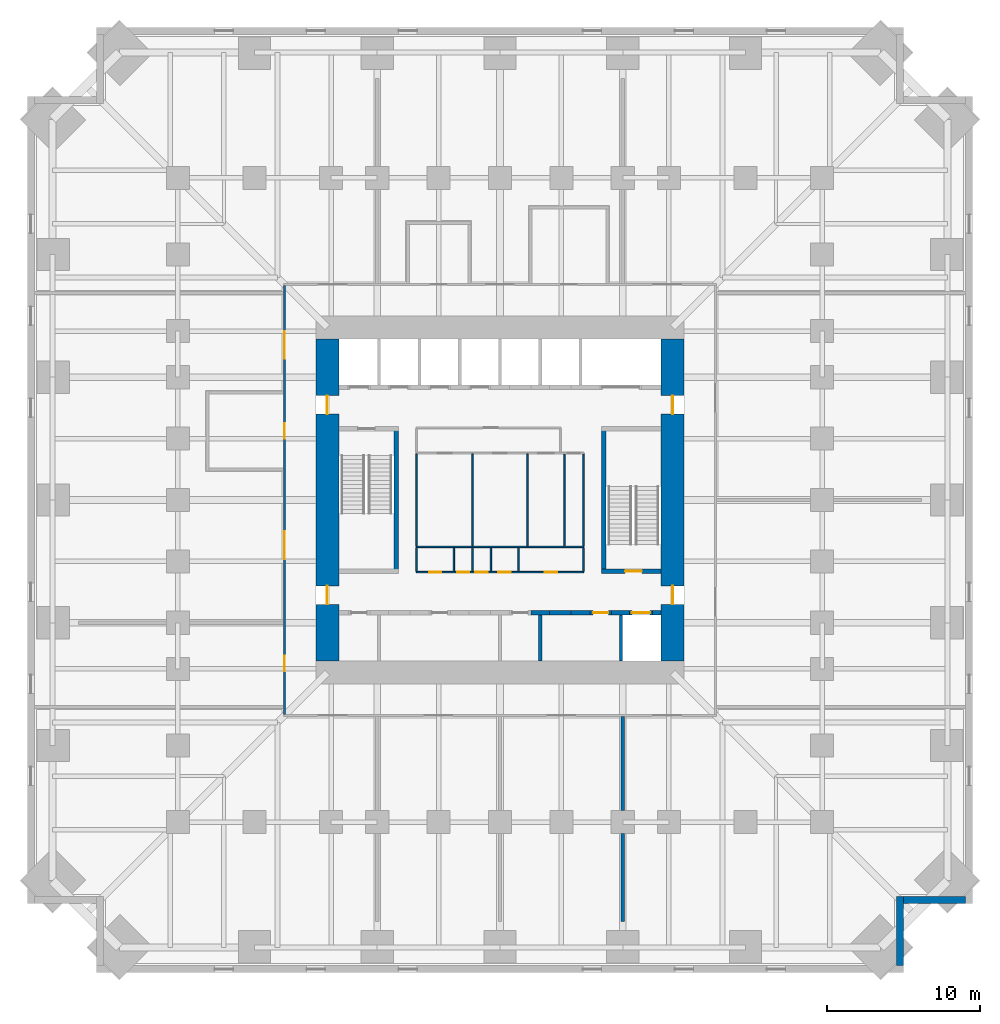
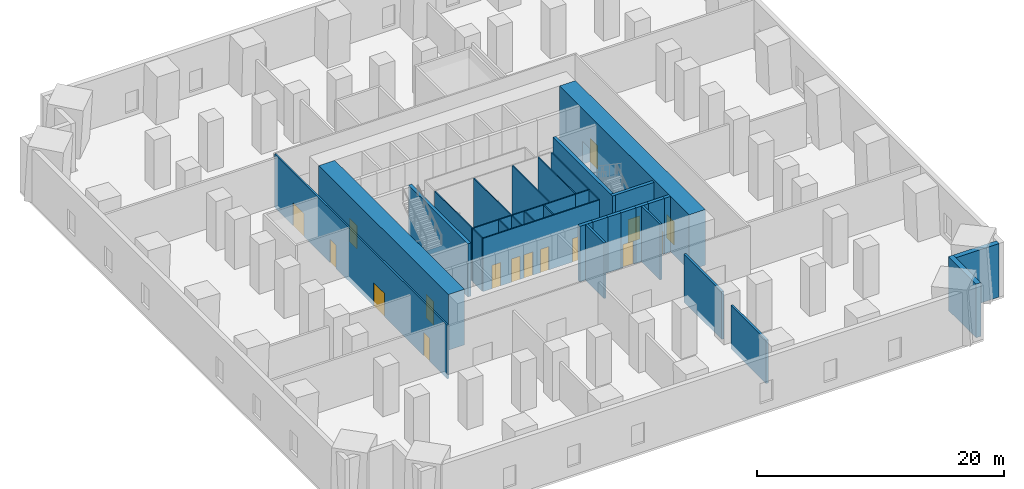
# One storey, part 4 of 8: 33 walls, 16 doors, 16 openings.
"""IFC4 building model written with IfcOpenShell, lengths in metres."""

from ifc_helpers import new_model, si_unit, direction, frame, frame_2d, origin, place, context, subcontext, project, spatial, rectangle, extrude, material, layer, layer_set, type_object, element, fill, save


model = new_model("IFC4")

# Units and contexts
model_context = context("Model", 3, precision=1e-05, world=origin(), true_north=direction((0.0, 1.0)))
body_context = subcontext(model_context, "Body", "Model", "MODEL_VIEW")
ifc_project = project(units=[si_unit("LENGTHUNIT", "METRE"), si_unit("AREAUNIT", "SQUARE_METRE"), si_unit("VOLUMEUNIT", "CUBIC_METRE"), si_unit("PLANEANGLEUNIT", "RADIAN"), si_unit("MASSUNIT", "GRAM", prefix="KILO")], contexts=[model_context])

# Site, building, storey
site_placement = place(None, origin())
site = spatial("IfcSite", under=ifc_project, at=site_placement, CompositionType="ELEMENT")
building_placement = place(site_placement, origin())
building = spatial("IfcBuilding", under=site, at=building_placement, Name="Peilmerk Tower", CompositionType="ELEMENT")
storey_placement = place(building_placement, frame((0.0, 0.0, 43.0)))
storey = spatial("IfcBuildingStorey", under=building, at=storey_placement, Name="L08", CompositionType="ELEMENT", Elevation=43.0)

# Walls
ifc_material_1 = material(Name="Precast concrete C45/55, board-marked finish", Category="concrete")
ifc_layer_1 = layer(ifc_material_1, 0.449951171875)
ifc_layer_set_1 = layer_set([ifc_layer_1], Name="Precast concrete C45/55, board-marked finish")
wall_type_1 = type_object("IfcWallType", Name="EW1 450 precast concrete facade wall, board-marked", PredefinedType="SOLIDWALL", material=ifc_layer_set_1)
wall_1_placement = place(storey_placement, frame((26.074951171875, -25.85009765625, 0.0), z_axis=(0.0, 0.0, 1.0), x_axis=(0.0, -1.0, 0.0)))
element("IfcWall", 1, at=wall_1_placement, inside=storey, type_object=wall_type_1, Name="Facade wall SEA L08", PredefinedType="SOLIDWALL", context=body_context, shape_type="SweptSolid", body=[
    extrude(rectangle(XDim=4.5, YDim=0.449951171875, at=frame_2d((2.25, 0.0))), origin(), (0.0, 0.0, 1.0), 5.300048828125),
])
wall_2_placement = place(storey_placement, frame((26.300048828125, -26.074951171875, 0.0), z_axis=(0.0, 0.0, 1.0), x_axis=(1.0, 0.0, 0.0)))
element("IfcWall", 2, at=wall_2_placement, inside=storey, type_object=wall_type_1, Name="Facade wall SEB L08", PredefinedType="SOLIDWALL", context=body_context, shape_type="SweptSolid", body=[
    extrude(rectangle(XDim=4.050048828125, YDim=0.449951171875, at=frame_2d((2.02490234375, 0.0))), origin(), (0.0, 0.0, 1.0), 5.300048828125),
])

# Wall, openings, doors
ifc_material_2 = material(Name="Calcium silicate block", Category="masonry")
ifc_layer_2 = layer(ifc_material_2, 0.14990234375)
ifc_layer_set_2 = layer_set([ifc_layer_2], Name="Calcium silicate block")
wall_type_2 = type_object("IfcWallType", Name="IW1 150 corridor partition, EI 60", PredefinedType="PARTITIONING", material=ifc_layer_set_2)
wall_3_placement = place(storey_placement, frame((-14.050048828125, 13.97509765625, 0.0), z_axis=(0.0, 0.0, 1.0), x_axis=(0.0, -1.0, 0.0)))
wall_3 = element("IfcWall", 3, at=wall_3_placement, inside=storey, type_object=wall_type_2, Name="Corridor wall W L08", PredefinedType="PARTITIONING", context=body_context, shape_type="SweptSolid", body=[
    extrude(rectangle(XDim=27.9501953125, YDim=0.14990234375, at=frame_2d((13.97509765625, 0.0))), origin(), (0.0, 0.0, 1.0), 5.300048828125),
])
opening_1_placement = place(wall_3_placement, frame((24.125, 0.0, 0.0)))
opening_1 = element("IfcOpeningElement", 4, at=opening_1_placement, cuts=wall_3, Name="Opening D1", PredefinedType="OPENING", context=body_context, shape_type="SweptSolid", body=[
    extrude(rectangle(XDim=1.0, YDim=2.300048828125, at=frame_2d((0.5, 1.14990234375))), frame((0.0, 0.0849609375, 0.0), z_axis=(0.0, -1.0, 0.0), x_axis=(1.0, 0.0, 0.0)), (0.0, 0.0, 1.0), 0.169921875),
])
opening_2_placement = place(wall_3_placement, frame((16.02490234375, 0.0, 0.0)))
opening_2 = element("IfcOpeningElement", 5, at=opening_2_placement, cuts=wall_3, Name="Opening D2", PredefinedType="OPENING", context=body_context, shape_type="SweptSolid", body=[
    extrude(rectangle(XDim=1.800048828125, YDim=2.300048828125, at=frame_2d((0.89990234375, 1.14990234375))), frame((0.0, 0.0849609375, 0.0), z_axis=(0.0, -1.0, 0.0), x_axis=(1.0, 0.0, 0.0)), (0.0, 0.0, 1.0), 0.169921875),
])
opening_3_placement = place(wall_3_placement, frame((2.97509765625, 0.0, 0.0)))
opening_3 = element("IfcOpeningElement", 6, at=opening_3_placement, cuts=wall_3, Name="Opening D2", PredefinedType="OPENING", context=body_context, shape_type="SweptSolid", body=[
    extrude(rectangle(XDim=1.800048828125, YDim=2.300048828125, at=frame_2d((0.89990234375, 1.14990234375))), frame((0.0, 0.0849609375, 0.0), z_axis=(0.0, -1.0, 0.0), x_axis=(1.0, 0.0, 0.0)), (0.0, 0.0, 1.0), 0.169921875),
])
opening_4_placement = place(wall_3_placement, frame((8.97509765625, 0.0, 0.0)))
opening_4 = element("IfcOpeningElement", 7, at=opening_4_placement, cuts=wall_3, Name="Opening D1", PredefinedType="OPENING", context=body_context, shape_type="SweptSolid", body=[
    extrude(rectangle(XDim=1.0, YDim=2.300048828125, at=frame_2d((0.5, 1.14990234375))), frame((0.0, 0.0849609375, 0.0), z_axis=(0.0, -1.0, 0.0), x_axis=(1.0, 0.0, 0.0)), (0.0, 0.0, 1.0), 0.169921875),
])
ifc_material_3 = material(Name="Timber door in steel frame", Category="steel")
door_type_1 = type_object("IfcDoorType", Name="D1 1000x2300 room door, EI2 30", OperationType="SINGLE_SWING_LEFT", PredefinedType="DOOR", material=ifc_material_3)
door_1_placement = place(opening_1_placement, frame((1.0, 0.0, 0.0), z_axis=(0.0, 0.0, 1.0), x_axis=(-1.0, 0.0, 0.0)))
door_1 = element("IfcDoor", 8, at=door_1_placement, inside=storey, type_object=door_type_1, Name="Door Splicing room L08", OperationType="SINGLE_SWING_LEFT", OverallHeight=2.300048828125, OverallWidth=1.0, PredefinedType="DOOR", context=body_context, shape_type="SweptSolid", body=[
    extrude(rectangle(XDim=1.0, YDim=2.300048828125, at=frame_2d((0.5, 1.14990234375))), frame((0.0, 0.02490234375, 0.0), z_axis=(0.0, -1.0, 0.0), x_axis=(1.0, 0.0, 0.0)), (0.0, 0.0, 1.0), 0.050048828125),
])
fill(opening_1, door_1)
door_2_placement = place(opening_4_placement, frame((1.0, 0.0, 0.0), z_axis=(0.0, 0.0, 1.0), x_axis=(-1.0, 0.0, 0.0)))
door_2 = element("IfcDoor", 9, at=door_2_placement, inside=storey, type_object=door_type_1, Name="Door Customer meeting room L08", OperationType="SINGLE_SWING_LEFT", OverallHeight=2.300048828125, OverallWidth=1.0, PredefinedType="DOOR", context=body_context, shape_type="SweptSolid", body=[
    extrude(rectangle(XDim=1.0, YDim=2.300048828125, at=frame_2d((0.5, 1.14990234375))), frame((0.0, 0.02490234375, 0.0), z_axis=(0.0, -1.0, 0.0), x_axis=(1.0, 0.0, 0.0)), (0.0, 0.0, 1.0), 0.050048828125),
])
fill(opening_4, door_2)
ifc_material_4 = material(Name="Steel door in steel frame", Category="steel")
door_type_2 = type_object("IfcDoorType", Name="D2 1800x2300 double door, EI2 60", OperationType="DOUBLE_DOOR_DOUBLE_SWING", PredefinedType="DOOR", material=ifc_material_4)
door_3_placement = place(opening_2_placement, frame((1.800048828125, 0.0, 0.0), z_axis=(0.0, 0.0, 1.0), x_axis=(-1.0, 0.0, 0.0)))
door_3 = element("IfcDoor", 10, at=door_3_placement, inside=storey, type_object=door_type_2, Name="Door Fibre distribution room L08", OperationType="DOUBLE_DOOR_DOUBLE_SWING", OverallHeight=2.300048828125, OverallWidth=1.800048828125, PredefinedType="DOOR", context=body_context, shape_type="SweptSolid", body=[
    extrude(rectangle(XDim=1.800048828125, YDim=2.300048828125, at=frame_2d((0.89990234375, 1.14990234375))), frame((0.0, 0.02490234375, 0.0), z_axis=(0.0, -1.0, 0.0), x_axis=(1.0, 0.0, 0.0)), (0.0, 0.0, 1.0), 0.050048828125),
])
fill(opening_2, door_3)
door_4_placement = place(opening_3_placement, frame((1.800048828125, 0.0, 0.0), z_axis=(0.0, 0.0, 1.0), x_axis=(-1.0, 0.0, 0.0)))
door_4 = element("IfcDoor", 11, at=door_4_placement, inside=storey, type_object=door_type_2, Name="Door Fibre distribution room L08", OperationType="DOUBLE_DOOR_DOUBLE_SWING", OverallHeight=2.300048828125, OverallWidth=1.800048828125, PredefinedType="DOOR", context=body_context, shape_type="SweptSolid", body=[
    extrude(rectangle(XDim=1.800048828125, YDim=2.300048828125, at=frame_2d((0.89990234375, 1.14990234375))), frame((0.0, 0.02490234375, 0.0), z_axis=(0.0, -1.0, 0.0), x_axis=(1.0, 0.0, 0.0)), (0.0, 0.0, 1.0), 0.050048828125),
])
fill(opening_3, door_4)

# Walls
ifc_layer_3 = layer(ifc_material_2, 0.199951171875)
ifc_layer_set_3 = layer_set([ifc_layer_3], Name="Calcium silicate block")
wall_type_3 = type_object("IfcWallType", Name="IW2 200 room separating wall, EI 120", PredefinedType="PARTITIONING", material=ifc_layer_set_3)
wall_4_placement = place(storey_placement, frame((8.0, -14.125, 0.0), z_axis=(0.0, 0.0, 1.0), x_axis=(0.0, -1.0, 0.0)))
element("IfcWall", 12, at=wall_4_placement, inside=storey, type_object=wall_type_3, Name="Room separating wall S3 L08", PredefinedType="PARTITIONING", context=body_context, shape_type="SweptSolid", body=[
    extrude(rectangle(XDim=6.125, YDim=0.199951171875, at=frame_2d((3.0625, 0.0))), origin(), (0.0, 0.0, 1.0), 4.73095703125),
])
wall_5_placement = place(storey_placement, frame((8.0, -21.75, 0.0), z_axis=(0.0, 0.0, 1.0), x_axis=(0.0, -1.0, 0.0)))
element("IfcWall", 13, at=wall_5_placement, inside=storey, type_object=wall_type_3, Name="Room separating wall S3b L08", PredefinedType="PARTITIONING", context=body_context, shape_type="SweptSolid", body=[
    extrude(rectangle(XDim=5.706298828125, YDim=0.199951171875, at=frame_2d((2.85302734375, 0.0))), origin(), (0.0, 0.0, 1.0), 4.2919921875),
])
ifc_material_5 = material(Name="Concrete C35/45", Category="concrete")
ifc_layer_4 = layer(ifc_material_5, 0.300048828125)
ifc_layer_set_4 = layer_set([ifc_layer_4], Name="Concrete C35/45")
wall_type_4 = type_object("IfcWallType", Name="IW3 300 concrete stair enclosure wall, EI 120", PredefinedType="SOLIDWALL", material=ifc_layer_set_4)
for number, where, z_axis, x_axis, name in (
    (14, (-6.75, -4.800048828125, 0.0), (0.0, 0.0, 1.0), (0.0, 1.0, 0.0), "Stair 1 enclosure L08"),
    (15, (6.75, -4.800048828125, 0.0), (0.0, 0.0, 1.0), (0.0, 1.0, 0.0), "Stair 2 enclosure L08"),
):
    element("IfcWall", number, at=place(storey_placement, frame(where, z_axis=z_axis, x_axis=x_axis)), inside=storey, type_object=wall_type_4, Name=name, PredefinedType="SOLIDWALL", context=body_context, shape_type="SweptSolid", body=[
        extrude(rectangle(XDim=9.60009765625, YDim=0.300048828125, at=frame_2d((4.800048828125, 0.0))), origin(), (0.0, 0.0, 1.0), 5.25),
    ])

# Wall, opening, door
wall_6_placement = place(storey_placement, frame((10.5, -4.64990234375, 0.0), z_axis=(0.0, 0.0, 1.0), x_axis=(-1.0, 0.0, 0.0)))
wall_6 = element("IfcWall", 16, at=wall_6_placement, inside=storey, type_object=wall_type_4, Name="Stair 2 enclosure L08", PredefinedType="SOLIDWALL", context=body_context, shape_type="SweptSolid", body=[
    extrude(rectangle(XDim=3.89990234375, YDim=0.300048828125, at=frame_2d((1.949951171875, 0.0))), origin(), (0.0, 0.0, 1.0), 5.25),
])
opening_5_placement = place(wall_6_placement, frame((1.25, 0.0, 0.0)))
opening_5 = element("IfcOpeningElement", 17, at=opening_5_placement, cuts=wall_6, Name="Opening D4", PredefinedType="OPENING", context=body_context, shape_type="SweptSolid", body=[
    extrude(rectangle(XDim=1.10009765625, YDim=2.300048828125, at=frame_2d((0.550048828125, 1.14990234375))), frame((0.0, 0.159912109375, 0.0), z_axis=(0.0, -1.0, 0.0), x_axis=(1.0, 0.0, 0.0)), (0.0, 0.0, 1.0), 0.320068359375),
])
door_type_3 = type_object("IfcDoorType", Name="D4 1100x2300 stair door, EI2 60", OperationType="SINGLE_SWING_RIGHT", PredefinedType="DOOR", material=ifc_material_4)
door_5_placement = place(opening_5_placement, frame((1.10009765625, 0.0, 0.0), z_axis=(0.0, 0.0, 1.0), x_axis=(-1.0, 0.0, 0.0)))
door_5 = element("IfcDoor", 18, at=door_5_placement, inside=storey, type_object=door_type_3, Name="Stair 2 door L08", OperationType="SINGLE_SWING_RIGHT", OverallHeight=2.300048828125, OverallWidth=1.10009765625, PredefinedType="DOOR", context=body_context, shape_type="SweptSolid", body=[
    extrude(rectangle(XDim=1.10009765625, YDim=2.300048828125, at=frame_2d((0.550048828125, 1.14990234375))), frame((0.0, 0.02490234375, 0.0), z_axis=(0.0, -1.0, 0.0), x_axis=(1.0, 0.0, 0.0)), (0.0, 0.0, 1.0), 0.050048828125),
])
fill(opening_5, door_5)

# Walls
ifc_material_6 = material(Name="Plasterboard on steel studs", Category="steel")
ifc_layer_5 = layer(ifc_material_6, 0.10009765625)
ifc_layer_set_5 = layer_set([ifc_layer_5], Name="Plasterboard on steel studs")
wall_type_5 = type_object("IfcWallType", Name="IW4 100 WC partition", PredefinedType="PARTITIONING", material=ifc_layer_set_5)
wall_7_placement = place(storey_placement, frame((4.14990234375, -3.050048828125, 0.0), z_axis=(0.0, 0.0, 1.0), x_axis=(-1.0, 0.0, 0.0)))
element("IfcWall", 19, at=wall_7_placement, inside=storey, type_object=wall_type_5, Name="WC wall L08", PredefinedType="PARTITIONING", context=body_context, shape_type="SweptSolid", body=[
    extrude(rectangle(XDim=9.599853515625, YDim=0.10009765625, at=frame_2d((4.7998046875, 0.0))), origin(), (0.0, 0.0, 1.0), 5.25),
])
for number, where, z_axis, x_axis, name in (
    (20, (-5.449951171875, -3.0, 0.0), (0.0, 0.0, 1.0), (0.0, 1.0, 0.0), "WC wall L08"),
    (21, (-1.800048828125, -3.0, 0.0), (0.0, 0.0, 1.0), (0.0, 1.0, 0.0), "WC wall L08"),
    (22, (1.800048828125, -3.0, 0.0), (0.0, 0.0, 1.0), (0.0, 1.0, 0.0), "WC wall L08"),
):
    element("IfcWall", number, at=place(storey_placement, frame(where, z_axis=z_axis, x_axis=x_axis)), inside=storey, type_object=wall_type_5, Name=name, PredefinedType="PARTITIONING", context=body_context, shape_type="SweptSolid", body=[
        extrude(rectangle(XDim=6.0, YDim=0.10009765625, at=frame_2d((3.0, 0.0))), origin(), (0.0, 0.0, 1.0), 5.25),
    ])
ifc_material_7 = material(Name="Calcium silicate board on steel studs", Category="steel")
ifc_layer_6 = layer(ifc_material_7, 0.10009765625)
ifc_layer_set_6 = layer_set([ifc_layer_6], Name="Calcium silicate board on steel studs")
wall_type_6 = type_object("IfcWallType", Name="IW5 100 riser enclosure wall, EI 60", PredefinedType="PARTITIONING", material=ifc_layer_set_6)
wall_8_placement = place(storey_placement, frame((5.449951171875, -3.050048828125, 0.0), z_axis=(0.0, 0.0, 1.0), x_axis=(-1.0, 0.0, 0.0)))
element("IfcWall", 23, at=wall_8_placement, inside=storey, type_object=wall_type_6, Name="Riser wall L08", PredefinedType="PARTITIONING", context=body_context, shape_type="SweptSolid", body=[
    extrude(rectangle(XDim=1.300048828125, YDim=0.10009765625, at=frame_2d((0.64990234375, 0.0))), origin(), (0.0, 0.0, 1.0), 5.25),
])
for number, where, z_axis, x_axis, name in (
    (24, (5.449951171875, 3.0, 0.0), (0.0, 0.0, 1.0), (0.0, -1.0, 0.0), "Riser wall L08"),
    (25, (4.199951171875, -3.0, 0.0), (0.0, 0.0, 1.0), (0.0, 1.0, 0.0), "Riser wall L08"),
):
    element("IfcWall", number, at=place(storey_placement, frame(where, z_axis=z_axis, x_axis=x_axis)), inside=storey, type_object=wall_type_6, Name=name, PredefinedType="PARTITIONING", context=body_context, shape_type="SweptSolid", body=[
        extrude(rectangle(XDim=6.0, YDim=0.10009765625, at=frame_2d((3.0, 0.0))), origin(), (0.0, 0.0, 1.0), 5.25),
    ])

# Wall, openings, doors
wall_9_placement = place(storey_placement, frame((5.449951171875, -4.699951171875, 0.0), z_axis=(0.0, 0.0, 1.0), x_axis=(-1.0, 0.0, 0.0)))
wall_9 = element("IfcWall", 26, at=wall_9_placement, inside=storey, type_object=wall_type_6, Name="Riser wall L08", PredefinedType="PARTITIONING", context=body_context, shape_type="SweptSolid", body=[
    extrude(rectangle(XDim=10.89990234375, YDim=0.10009765625, at=frame_2d((5.449951171875, 0.0))), origin(), (0.0, 0.0, 1.0), 5.25),
])
opening_6_placement = place(wall_9_placement, frame((9.27490234375, 0.0, 0.0)))
opening_6 = element("IfcOpeningElement", 27, at=opening_6_placement, cuts=wall_9, Name="Opening D7", PredefinedType="OPENING", context=body_context, shape_type="SweptSolid", body=[
    extrude(rectangle(XDim=0.800048828125, YDim=2.300048828125, at=frame_2d((0.39990234375, 1.14990234375))), frame((0.0, 0.06005859375, 0.0), z_axis=(0.0, -1.0, 0.0), x_axis=(1.0, 0.0, 0.0)), (0.0, 0.0, 1.0), 0.1201171875),
])
opening_7_placement = place(wall_9_placement, frame((7.449951171875, 0.0, 0.0)))
opening_7 = element("IfcOpeningElement", 28, at=opening_7_placement, cuts=wall_9, Name="Opening D7", PredefinedType="OPENING", context=body_context, shape_type="SweptSolid", body=[
    extrude(rectangle(XDim=0.800048828125, YDim=2.300048828125, at=frame_2d((0.39990234375, 1.14990234375))), frame((0.0, 0.06005859375, 0.0), z_axis=(0.0, -1.0, 0.0), x_axis=(1.0, 0.0, 0.0)), (0.0, 0.0, 1.0), 0.1201171875),
])
opening_8_placement = place(wall_9_placement, frame((6.25, 0.0, 0.0)))
opening_8 = element("IfcOpeningElement", 29, at=opening_8_placement, cuts=wall_9, Name="Opening D7", PredefinedType="OPENING", context=body_context, shape_type="SweptSolid", body=[
    extrude(rectangle(XDim=0.800048828125, YDim=2.300048828125, at=frame_2d((0.39990234375, 1.14990234375))), frame((0.0, 0.06005859375, 0.0), z_axis=(0.0, -1.0, 0.0), x_axis=(1.0, 0.0, 0.0)), (0.0, 0.0, 1.0), 0.1201171875),
])
opening_9_placement = place(wall_9_placement, frame((4.75, 0.0, 0.0)))
opening_9 = element("IfcOpeningElement", 30, at=opening_9_placement, cuts=wall_9, Name="Opening D7", PredefinedType="OPENING", context=body_context, shape_type="SweptSolid", body=[
    extrude(rectangle(XDim=0.800048828125, YDim=2.300048828125, at=frame_2d((0.39990234375, 1.14990234375))), frame((0.0, 0.06005859375, 0.0), z_axis=(0.0, -1.0, 0.0), x_axis=(1.0, 0.0, 0.0)), (0.0, 0.0, 1.0), 0.1201171875),
])
opening_10_placement = place(wall_9_placement, frame((1.72509765625, 0.0, 0.0)))
opening_10 = element("IfcOpeningElement", 31, at=opening_10_placement, cuts=wall_9, Name="Opening D7", PredefinedType="OPENING", context=body_context, shape_type="SweptSolid", body=[
    extrude(rectangle(XDim=0.800048828125, YDim=2.300048828125, at=frame_2d((0.39990234375, 1.14990234375))), frame((0.0, 0.06005859375, 0.0), z_axis=(0.0, -1.0, 0.0), x_axis=(1.0, 0.0, 0.0)), (0.0, 0.0, 1.0), 0.1201171875),
])
door_type_4 = type_object("IfcDoorType", Name="D7 800x2300 riser access door, EI2 60", OperationType="SINGLE_SWING_RIGHT", PredefinedType="DOOR", material=ifc_material_4)
door_6_placement = place(opening_6_placement, frame((0.800048828125, 0.0, 0.0), z_axis=(0.0, 0.0, 1.0), x_axis=(-1.0, 0.0, 0.0)))
door_6 = element("IfcDoor", 32, at=door_6_placement, inside=storey, type_object=door_type_4, Name="Electrical room door L08", OperationType="SINGLE_SWING_RIGHT", OverallHeight=2.300048828125, OverallWidth=0.800048828125, PredefinedType="DOOR", context=body_context, shape_type="SweptSolid", body=[
    extrude(rectangle(XDim=0.800048828125, YDim=2.300048828125, at=frame_2d((0.39990234375, 1.14990234375))), frame((0.0, 0.02490234375, 0.0), z_axis=(0.0, -1.0, 0.0), x_axis=(1.0, 0.0, 0.0)), (0.0, 0.0, 1.0), 0.050048828125),
])
fill(opening_6, door_6)
door_7_placement = place(opening_7_placement, frame((0.800048828125, 0.0, 0.0), z_axis=(0.0, 0.0, 1.0), x_axis=(-1.0, 0.0, 0.0)))
door_7 = element("IfcDoor", 33, at=door_7_placement, inside=storey, type_object=door_type_4, Name="Electrical riser door L08", OperationType="SINGLE_SWING_RIGHT", OverallHeight=2.300048828125, OverallWidth=0.800048828125, PredefinedType="DOOR", context=body_context, shape_type="SweptSolid", body=[
    extrude(rectangle(XDim=0.800048828125, YDim=2.300048828125, at=frame_2d((0.39990234375, 1.14990234375))), frame((0.0, 0.02490234375, 0.0), z_axis=(0.0, -1.0, 0.0), x_axis=(1.0, 0.0, 0.0)), (0.0, 0.0, 1.0), 0.050048828125),
])
fill(opening_7, door_7)
door_8_placement = place(opening_8_placement, frame((0.800048828125, 0.0, 0.0), z_axis=(0.0, 0.0, 1.0), x_axis=(-1.0, 0.0, 0.0)))
door_8 = element("IfcDoor", 34, at=door_8_placement, inside=storey, type_object=door_type_4, Name="Data riser door L08", OperationType="SINGLE_SWING_RIGHT", OverallHeight=2.300048828125, OverallWidth=0.800048828125, PredefinedType="DOOR", context=body_context, shape_type="SweptSolid", body=[
    extrude(rectangle(XDim=0.800048828125, YDim=2.300048828125, at=frame_2d((0.39990234375, 1.14990234375))), frame((0.0, 0.02490234375, 0.0), z_axis=(0.0, -1.0, 0.0), x_axis=(1.0, 0.0, 0.0)), (0.0, 0.0, 1.0), 0.050048828125),
])
fill(opening_8, door_8)
door_9_placement = place(opening_9_placement, frame((0.800048828125, 0.0, 0.0), z_axis=(0.0, 0.0, 1.0), x_axis=(-1.0, 0.0, 0.0)))
door_9 = element("IfcDoor", 35, at=door_9_placement, inside=storey, type_object=door_type_4, Name="Cleaner's cupboard door L08", OperationType="SINGLE_SWING_RIGHT", OverallHeight=2.300048828125, OverallWidth=0.800048828125, PredefinedType="DOOR", context=body_context, shape_type="SweptSolid", body=[
    extrude(rectangle(XDim=0.800048828125, YDim=2.300048828125, at=frame_2d((0.39990234375, 1.14990234375))), frame((0.0, 0.02490234375, 0.0), z_axis=(0.0, -1.0, 0.0), x_axis=(1.0, 0.0, 0.0)), (0.0, 0.0, 1.0), 0.050048828125),
])
fill(opening_9, door_9)
door_10_placement = place(opening_10_placement, frame((0.800048828125, 0.0, 0.0), z_axis=(0.0, 0.0, 1.0), x_axis=(-1.0, 0.0, 0.0)))
door_10 = element("IfcDoor", 36, at=door_10_placement, inside=storey, type_object=door_type_4, Name="Comms room door L08", OperationType="SINGLE_SWING_RIGHT", OverallHeight=2.300048828125, OverallWidth=0.800048828125, PredefinedType="DOOR", context=body_context, shape_type="SweptSolid", body=[
    extrude(rectangle(XDim=0.800048828125, YDim=2.300048828125, at=frame_2d((0.39990234375, 1.14990234375))), frame((0.0, 0.02490234375, 0.0), z_axis=(0.0, -1.0, 0.0), x_axis=(1.0, 0.0, 0.0)), (0.0, 0.0, 1.0), 0.050048828125),
])
fill(opening_10, door_10)

# Walls
for number, where, z_axis, x_axis, name in (
    (37, (-5.449951171875, -3.10009765625, 0.0), (0.0, 0.0, 1.0), (0.0, -1.0, 0.0), "Riser wall L08"),
    (38, (5.449951171875, -3.10009765625, 0.0), (0.0, 0.0, 1.0), (0.0, -1.0, 0.0), "Riser wall L08"),
    (39, (-3.0, -3.10009765625, 0.0), (0.0, 0.0, 1.0), (0.0, -1.0, 0.0), "Riser wall L08"),
    (40, (-1.800048828125, -3.10009765625, 0.0), (0.0, 0.0, 1.0), (0.0, -1.0, 0.0), "Riser wall L08"),
    (41, (-0.60009765625, -3.10009765625, 0.0), (0.0, 0.0, 1.0), (0.0, -1.0, 0.0), "Riser wall L08"),
    (42, (1.199951171875, -3.10009765625, 0.0), (0.0, 0.0, 1.0), (0.0, -1.0, 0.0), "Riser wall L08"),
):
    element("IfcWall", number, at=place(storey_placement, frame(where, z_axis=z_axis, x_axis=x_axis)), inside=storey, type_object=wall_type_6, Name=name, PredefinedType="PARTITIONING", context=body_context, shape_type="SweptSolid", body=[
        extrude(rectangle(XDim=1.5498046875, YDim=0.10009765625, at=frame_2d((0.77490234375, 0.0))), origin(), (0.0, 0.0, 1.0), 5.25),
    ])
ifc_layer_7 = layer(ifc_material_2, 0.199951171875)
ifc_layer_set_7 = layer_set([ifc_layer_7], Name="Calcium silicate block")
wall_type_7 = type_object("IfcWallType", Name="SH1 200 shaft dividing wall, EI 120", PredefinedType="PARTITIONING", material=ifc_layer_set_7)
for number, where, z_axis, x_axis, name in (
    (43, (2.625, -10.5, 0.0), (0.0, 0.0, 1.0), (0.0, 1.0, 0.0), "Shaft wall S B3 L08"),
    (44, (7.875, -10.5, 0.0), (0.0, 0.0, 1.0), (0.0, 1.0, 0.0), "Shaft wall S B1 L08"),
):
    element("IfcWall", number, at=place(storey_placement, frame(where, z_axis=z_axis, x_axis=x_axis)), inside=storey, type_object=wall_type_7, Name=name, PredefinedType="PARTITIONING", context=body_context, shape_type="SweptSolid", body=[
        extrude(rectangle(XDim=3.0, YDim=0.199951171875, at=frame_2d((1.5, 0.0))), origin(), (0.0, 0.0, 1.0), 5.5),
    ])
ifc_layer_8 = layer(ifc_material_2, 0.300048828125)
ifc_layer_set_8 = layer_set([ifc_layer_8], Name="Calcium silicate block")
wall_type_8 = type_object("IfcWallType", Name="SH2 300 lift landing door panel, EI 120", PredefinedType="PARTITIONING", material=ifc_layer_set_8)
wall_10_placement = place(storey_placement, frame((3.237548828125, -7.35009765625, 0.0), z_axis=(0.0, 0.0, 1.0), x_axis=(1.0, 0.0, 0.0)))
element("IfcWall", 45, at=wall_10_placement, inside=storey, type_object=wall_type_8, Name="Lift door panel S B2 L08", PredefinedType="PARTITIONING", context=body_context, shape_type="SweptSolid", body=[
    extrude(rectangle(XDim=1.39990234375, YDim=0.300048828125, at=frame_2d((0.699951171875, 0.0))), origin(), (0.0, 0.0, 1.0), 5.5),
])

# Wall, opening, door
wall_11_placement = place(storey_placement, frame((5.862548828125, -7.35009765625, 0.0), z_axis=(0.0, 0.0, 1.0), x_axis=(1.0, 0.0, 0.0)))
wall_11 = element("IfcWall", 46, at=wall_11_placement, inside=storey, type_object=wall_type_8, Name="Lift door panel S B1 L08", PredefinedType="PARTITIONING", context=body_context, shape_type="SweptSolid", body=[
    extrude(rectangle(XDim=1.39990234375, YDim=0.300048828125, at=frame_2d((0.699951171875, 0.0))), origin(), (0.0, 0.0, 1.0), 5.5),
])
opening_11_placement = place(wall_11_placement, frame((0.199951171875, 0.0, 0.0)))
opening_11 = element("IfcOpeningElement", 47, at=opening_11_placement, cuts=wall_11, Name="Opening D10", PredefinedType="OPENING", context=body_context, shape_type="SweptSolid", body=[
    extrude(rectangle(XDim=1.0, YDim=2.300048828125, at=frame_2d((0.5, 1.14990234375))), frame((0.0, 0.159912109375, 0.0), z_axis=(0.0, -1.0, 0.0), x_axis=(1.0, 0.0, 0.0)), (0.0, 0.0, 1.0), 0.320068359375),
])
door_type_5 = type_object("IfcDoorType", Name="D10 1000x2300 core room door, EI2 60", OperationType="SINGLE_SWING_RIGHT", PredefinedType="DOOR", material=ifc_material_4)
door_11_placement = place(opening_11_placement, frame((1.0, 0.0, 0.0), z_axis=(0.0, 0.0, 1.0), x_axis=(-1.0, 0.0, 0.0)))
door_11 = element("IfcDoor", 48, at=door_11_placement, inside=storey, type_object=door_type_5, Name="Door Waste room L08", OperationType="SINGLE_SWING_RIGHT", OverallHeight=2.300048828125, OverallWidth=1.0, PredefinedType="DOOR", context=body_context, shape_type="SweptSolid", body=[
    extrude(rectangle(XDim=1.0, YDim=2.300048828125, at=frame_2d((0.5, 1.14990234375))), frame((0.0, 0.02490234375, 0.0), z_axis=(0.0, -1.0, 0.0), x_axis=(1.0, 0.0, 0.0)), (0.0, 0.0, 1.0), 0.050048828125),
])
fill(opening_11, door_11)

wall_12_placement = place(storey_placement, frame((8.4375, -7.35009765625, 0.0), z_axis=(0.0, 0.0, 1.0), x_axis=(1.0, 0.0, 0.0)))
wall_12 = element("IfcWall", 49, at=wall_12_placement, inside=storey, type_object=wall_type_8, Name="Lift door panel S FL2 L08", PredefinedType="PARTITIONING", context=body_context, shape_type="SweptSolid", body=[
    extrude(rectangle(XDim=1.5, YDim=0.300048828125, at=frame_2d((0.75, 0.0))), origin(), (0.0, 0.0, 1.0), 5.5),
])
opening_12_placement = place(wall_12_placement, frame((0.14990234375, 0.0, 0.0)))
opening_12 = element("IfcOpeningElement", 50, at=opening_12_placement, cuts=wall_12, Name="Opening LD2", PredefinedType="OPENING", context=body_context, shape_type="SweptSolid", body=[
    extrude(rectangle(XDim=1.199951171875, YDim=2.300048828125, at=frame_2d((0.60009765625, 1.14990234375))), frame((0.0, 0.159912109375, 0.0), z_axis=(0.0, -1.0, 0.0), x_axis=(1.0, 0.0, 0.0)), (0.0, 0.0, 1.0), 0.320068359375),
])
ifc_material_8 = material(Name="Stainless steel landing door", Category="steel")
door_type_6 = type_object("IfcDoorType", Name="LD2 1200x2300 lift landing door, sliding, EI2 60", OperationType="SLIDING_TO_LEFT", PredefinedType="DOOR", material=ifc_material_8)
door_12_placement = place(opening_12_placement, origin())
door_12 = element("IfcDoor", 51, at=door_12_placement, inside=storey, type_object=door_type_6, Name="Lift landing door FL2 L08", OperationType="SLIDING_TO_LEFT", OverallHeight=2.300048828125, OverallWidth=1.199951171875, PredefinedType="DOOR", context=body_context, shape_type="SweptSolid", body=[
    extrude(rectangle(XDim=1.199951171875, YDim=2.300048828125, at=frame_2d((0.60009765625, 1.14990234375))), frame((0.0, 0.02490234375, 0.0), z_axis=(0.0, -1.0, 0.0), x_axis=(1.0, 0.0, 0.0)), (0.0, 0.0, 1.0), 0.050048828125),
])
fill(opening_12, door_12)

# Wall, openings, doors
ifc_material_9 = material(Name="Concrete C55/67", Category="concrete")
ifc_layer_9 = layer(ifc_material_9, 1.5)
ifc_layer_set_9 = layer_set([ifc_layer_9], Name="Concrete C55/67")
wall_type_9 = type_object("IfcWallType", Name="SW1 1500 core wall", PredefinedType="SHEAR", material=ifc_layer_set_9)
wall_13_placement = place(storey_placement, frame((11.25, 10.5, 0.0), z_axis=(0.0, 0.0, 1.0), x_axis=(0.0, -1.0, 0.0)))
wall_13 = element("IfcWall", 52, at=wall_13_placement, inside=storey, type_object=wall_type_9, Name="Core wall E L08", PredefinedType="SHEAR", context=body_context, shape_type="SweptSolid", body=[
    extrude(rectangle(XDim=21.0, YDim=1.5, at=frame_2d((10.5, 0.0))), origin(), (0.0, 0.0, 1.0), 5.5),
])
opening_13_placement = place(wall_13_placement, frame((3.699951171875, 0.0, 0.0)))
opening_13 = element("IfcOpeningElement", 53, at=opening_13_placement, cuts=wall_13, Name="Opening D3", PredefinedType="OPENING", context=body_context, shape_type="SweptSolid", body=[
    extrude(rectangle(XDim=1.199951171875, YDim=2.300048828125, at=frame_2d((0.60009765625, 1.14990234375))), frame((0.0, 0.760009765625, 0.0), z_axis=(0.0, -1.0, 0.0), x_axis=(1.0, 0.0, 0.0)), (0.0, 0.0, 1.0), 1.52001953125),
])
opening_14_placement = place(wall_13_placement, frame((16.10009765625, 0.0, 0.0)))
opening_14 = element("IfcOpeningElement", 54, at=opening_14_placement, cuts=wall_13, Name="Opening D3", PredefinedType="OPENING", context=body_context, shape_type="SweptSolid", body=[
    extrude(rectangle(XDim=1.199951171875, YDim=2.300048828125, at=frame_2d((0.60009765625, 1.14990234375))), frame((0.0, 0.760009765625, 0.0), z_axis=(0.0, -1.0, 0.0), x_axis=(1.0, 0.0, 0.0)), (0.0, 0.0, 1.0), 1.52001953125),
])
door_type_7 = type_object("IfcDoorType", Name="D3 1200x2300 core door, EI2 60", OperationType="SINGLE_SWING_LEFT", PredefinedType="DOOR", material=ifc_material_4)
door_13_placement = place(opening_13_placement, frame((1.199951171875, 0.0, 0.0), z_axis=(0.0, 0.0, 1.0), x_axis=(-1.0, 0.0, 0.0)))
door_13 = element("IfcDoor", 55, at=door_13_placement, inside=storey, type_object=door_type_7, Name="Core door L08", OperationType="SINGLE_SWING_LEFT", OverallHeight=2.300048828125, OverallWidth=1.199951171875, PredefinedType="DOOR", context=body_context, shape_type="SweptSolid", body=[
    extrude(rectangle(XDim=1.199951171875, YDim=2.300048828125, at=frame_2d((0.60009765625, 1.14990234375))), frame((0.0, 0.02490234375, 0.0), z_axis=(0.0, -1.0, 0.0), x_axis=(1.0, 0.0, 0.0)), (0.0, 0.0, 1.0), 0.050048828125),
])
fill(opening_13, door_13)
door_14_placement = place(opening_14_placement, frame((1.199951171875, 0.0, 0.0), z_axis=(0.0, 0.0, 1.0), x_axis=(-1.0, 0.0, 0.0)))
door_14 = element("IfcDoor", 56, at=door_14_placement, inside=storey, type_object=door_type_7, Name="Core door L08", OperationType="SINGLE_SWING_LEFT", OverallHeight=2.300048828125, OverallWidth=1.199951171875, PredefinedType="DOOR", context=body_context, shape_type="SweptSolid", body=[
    extrude(rectangle(XDim=1.199951171875, YDim=2.300048828125, at=frame_2d((0.60009765625, 1.14990234375))), frame((0.0, 0.02490234375, 0.0), z_axis=(0.0, -1.0, 0.0), x_axis=(1.0, 0.0, 0.0)), (0.0, 0.0, 1.0), 0.050048828125),
])
fill(opening_14, door_14)

wall_14_placement = place(storey_placement, frame((-11.25, -10.5, 0.0), z_axis=(0.0, 0.0, 1.0), x_axis=(0.0, 1.0, 0.0)))
wall_14 = element("IfcWall", 57, at=wall_14_placement, inside=storey, type_object=wall_type_9, Name="Core wall W L08", PredefinedType="SHEAR", context=body_context, shape_type="SweptSolid", body=[
    extrude(rectangle(XDim=21.0, YDim=1.5, at=frame_2d((10.5, 0.0))), origin(), (0.0, 0.0, 1.0), 5.5),
])
opening_15_placement = place(wall_14_placement, frame((16.10009765625, 0.0, 0.0)))
opening_15 = element("IfcOpeningElement", 58, at=opening_15_placement, cuts=wall_14, Name="Opening D3", PredefinedType="OPENING", context=body_context, shape_type="SweptSolid", body=[
    extrude(rectangle(XDim=1.199951171875, YDim=2.300048828125, at=frame_2d((0.60009765625, 1.14990234375))), frame((0.0, 0.760009765625, 0.0), z_axis=(0.0, -1.0, 0.0), x_axis=(1.0, 0.0, 0.0)), (0.0, 0.0, 1.0), 1.52001953125),
])
opening_16_placement = place(wall_14_placement, frame((3.699951171875, 0.0, 0.0)))
opening_16 = element("IfcOpeningElement", 59, at=opening_16_placement, cuts=wall_14, Name="Opening D3", PredefinedType="OPENING", context=body_context, shape_type="SweptSolid", body=[
    extrude(rectangle(XDim=1.199951171875, YDim=2.300048828125, at=frame_2d((0.60009765625, 1.14990234375))), frame((0.0, 0.760009765625, 0.0), z_axis=(0.0, -1.0, 0.0), x_axis=(1.0, 0.0, 0.0)), (0.0, 0.0, 1.0), 1.52001953125),
])
door_15_placement = place(opening_15_placement, frame((1.199951171875, 0.0, 0.0), z_axis=(0.0, 0.0, 1.0), x_axis=(-1.0, 0.0, 0.0)))
door_15 = element("IfcDoor", 60, at=door_15_placement, inside=storey, type_object=door_type_7, Name="Core door L08", OperationType="SINGLE_SWING_LEFT", OverallHeight=2.300048828125, OverallWidth=1.199951171875, PredefinedType="DOOR", context=body_context, shape_type="SweptSolid", body=[
    extrude(rectangle(XDim=1.199951171875, YDim=2.300048828125, at=frame_2d((0.60009765625, 1.14990234375))), frame((0.0, 0.02490234375, 0.0), z_axis=(0.0, -1.0, 0.0), x_axis=(1.0, 0.0, 0.0)), (0.0, 0.0, 1.0), 0.050048828125),
])
fill(opening_15, door_15)
door_16_placement = place(opening_16_placement, frame((1.199951171875, 0.0, 0.0), z_axis=(0.0, 0.0, 1.0), x_axis=(-1.0, 0.0, 0.0)))
door_16 = element("IfcDoor", 61, at=door_16_placement, inside=storey, type_object=door_type_7, Name="Core door L08", OperationType="SINGLE_SWING_LEFT", OverallHeight=2.300048828125, OverallWidth=1.199951171875, PredefinedType="DOOR", context=body_context, shape_type="SweptSolid", body=[
    extrude(rectangle(XDim=1.199951171875, YDim=2.300048828125, at=frame_2d((0.60009765625, 1.14990234375))), frame((0.0, 0.02490234375, 0.0), z_axis=(0.0, -1.0, 0.0), x_axis=(1.0, 0.0, 0.0)), (0.0, 0.0, 1.0), 0.050048828125),
])
fill(opening_16, door_16)

# Walls
ifc_layer_10 = layer(ifc_material_9, 0.300048828125)
ifc_layer_set_10 = layer_set([ifc_layer_10], Name="Concrete C55/67")
wall_type_10 = type_object("IfcWallType", Name="SW2 300 lift bank pier", PredefinedType="SHEAR", material=ifc_layer_set_10)
for number, where, z_axis, x_axis, name in (
    (62, (2.012451171875, -7.35009765625, 0.0), (0.0, 0.0, 1.0), (1.0, 0.0, 0.0), "Lift bank pier S L08"),
    (63, (4.637451171875, -7.35009765625, 0.0), (0.0, 0.0, 1.0), (1.0, 0.0, 0.0), "Lift bank pier S L08"),
):
    element("IfcWall", number, at=place(storey_placement, frame(where, z_axis=z_axis, x_axis=x_axis)), inside=storey, type_object=wall_type_10, Name=name, PredefinedType="SHEAR", context=body_context, shape_type="SweptSolid", body=[
        extrude(rectangle(XDim=1.22509765625, YDim=0.300048828125, at=frame_2d((0.612548828125, 0.0))), origin(), (0.0, 0.0, 1.0), 5.5),
    ])
wall_15_placement = place(storey_placement, frame((7.262451171875, -7.35009765625, 0.0), z_axis=(0.0, 0.0, 1.0), x_axis=(1.0, 0.0, 0.0)))
element("IfcWall", 64, at=wall_15_placement, inside=storey, type_object=wall_type_10, Name="Lift bank pier S L08", PredefinedType="SHEAR", context=body_context, shape_type="SweptSolid", body=[
    extrude(rectangle(XDim=1.175048828125, YDim=0.300048828125, at=frame_2d((0.58740234375, 0.0))), origin(), (0.0, 0.0, 1.0), 5.5),
])
wall_16_placement = place(storey_placement, frame((9.9375, -7.35009765625, 0.0), z_axis=(0.0, 0.0, 1.0), x_axis=(1.0, 0.0, 0.0)))
element("IfcWall", 65, at=wall_16_placement, inside=storey, type_object=wall_type_10, Name="Lift bank pier S L08", PredefinedType="SHEAR", context=body_context, shape_type="SweptSolid", body=[
    extrude(rectangle(XDim=0.5625, YDim=0.300048828125, at=frame_2d((0.28125, 0.0))), origin(), (0.0, 0.0, 1.0), 5.5),
])

save(model, "model.ifc")
